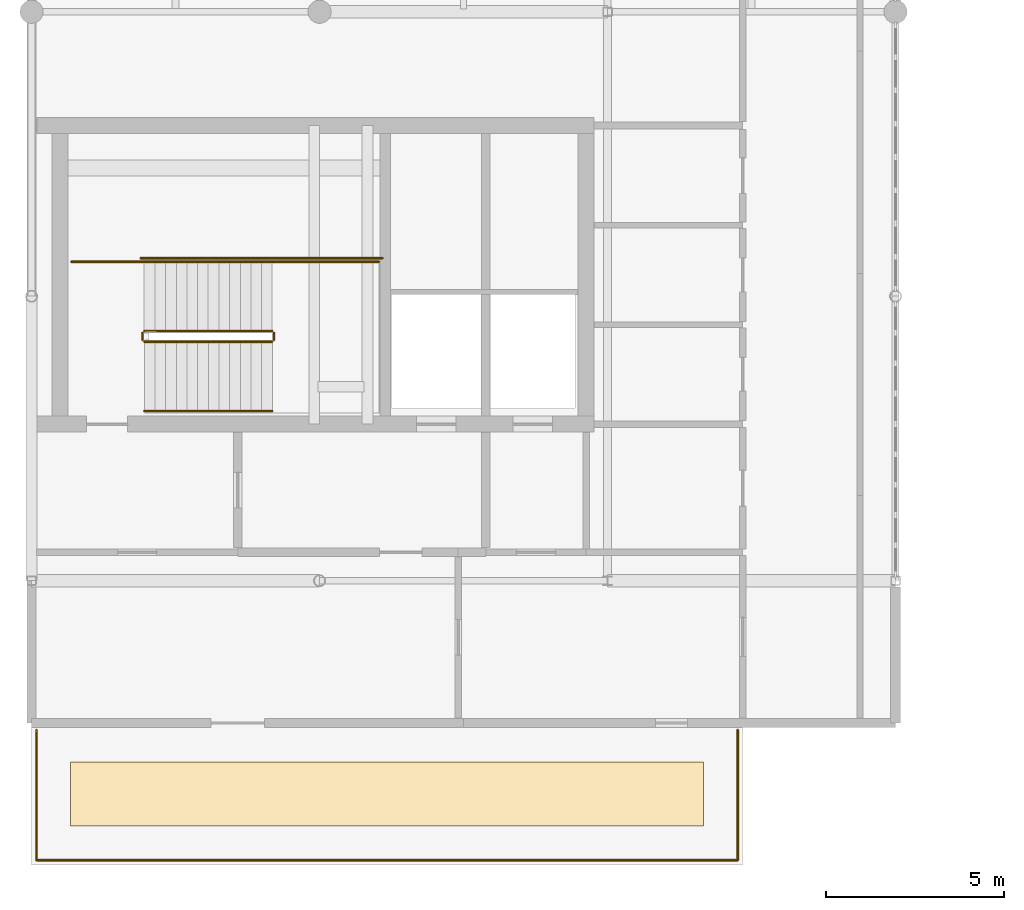
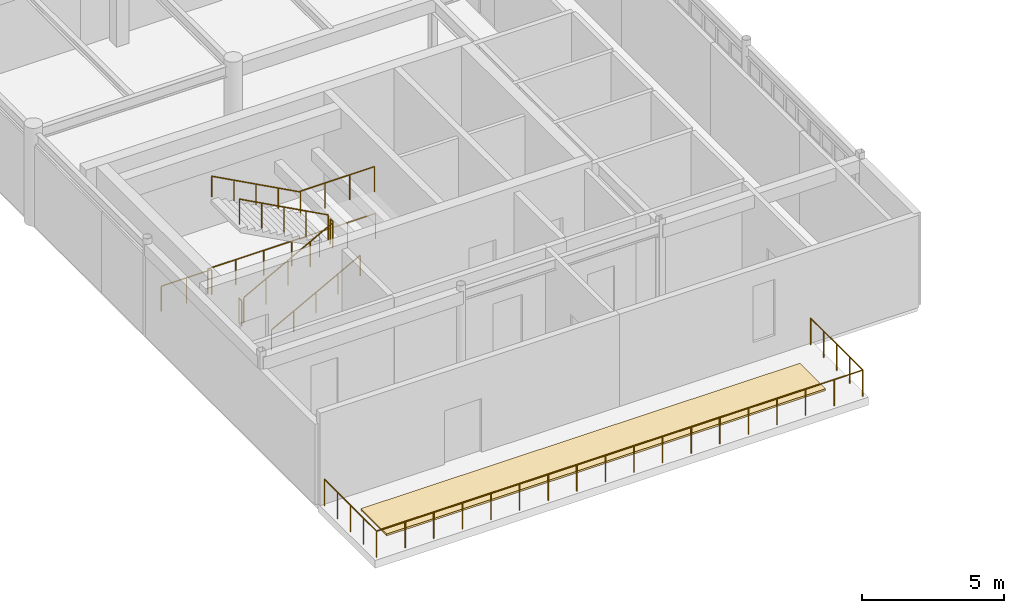
# One storey, part 16 of 18: 12 railings, 1 covering.
"""IFC4 building model written with IfcOpenShell, lengths in metres."""

from ifc_helpers import new_model, si_unit, direction, frame, origin, origin_2d, place, context, subcontext, project, spatial, polyline, circle, outline, extrude, material, layer, layer_set, type_object, element, save


model = new_model("IFC4")

# Units and contexts
model_context = context("Model", 3, precision=1e-05, world=origin(), true_north=direction((0.0, 1.0)))
body_context = subcontext(model_context, "Body", "Model", "MODEL_VIEW")
ifc_project = project(units=[si_unit("LENGTHUNIT", "METRE"), si_unit("AREAUNIT", "SQUARE_METRE"), si_unit("VOLUMEUNIT", "CUBIC_METRE"), si_unit("PLANEANGLEUNIT", "RADIAN"), si_unit("MASSUNIT", "GRAM", prefix="KILO")], contexts=[model_context])

# Site, building, storey
site_placement = place(None, origin())
site = spatial("IfcSite", under=ifc_project, at=site_placement, CompositionType="ELEMENT")
building_placement = place(site_placement, origin())
building = spatial("IfcBuilding", under=site, at=building_placement, Name="Tarnveldt Square Police Headquarters", CompositionType="ELEMENT")
storey_placement = place(building_placement, frame((0.0, 0.0, 29.10009765625)))
storey = spatial("IfcBuildingStorey", under=building, at=storey_placement, Name="L06", CompositionType="ELEMENT", Elevation=29.10009765625)

# Covering
ifc_material_1 = material(Name="Vegetated sedum and EPDM waterproofing roofing assembly", Category="concrete")
ifc_layer = layer(ifc_material_1, 0.080078125)
ifc_layer_set = layer_set([ifc_layer], Name="Vegetated sedum and EPDM waterproofing roofing assembly")
covering_type = type_object("IfcCoveringType", Name="COV-RFG-80", PredefinedType="ROOFING", material=ifc_layer_set)
covering_placement = place(storey_placement, origin())
element("IfcCovering", 1, at=covering_placement, inside=storey, type_object=covering_type, Name="Investigation Mid-Rise Setback Terrace Planted Roofing Assembly 4", PredefinedType="ROOFING", context=body_context, shape_type="SweptSolid", body=[
    extrude(outline(polyline([(35.10009765625, 49.10009765625), (35.10009765625, 50.89990234375), (17.300048828125, 50.89990234375), (17.300048828125, 49.10009765625), (35.10009765625, 49.10009765625)])), origin(), (0.0, 0.0, 1.0), 0.079833984375),
])

# Railings
ifc_material_2 = material(Name="Steel 350W", Category="steel")
railing_type_1 = type_object("IfcRailingType", Name="RL-BAL-1150", PredefinedType="BALUSTRADE", material=ifc_material_2)
railing_1_placement = place(storey_placement, frame((16.340087890625, 48.139892578125, 0.0)))
element("IfcRailing", 2, at=railing_1_placement, inside=storey, type_object=railing_type_1, Name="Investigation Mid-Rise Setback Terrace Perimeter Guardrail S1", PredefinedType="BALUSTRADE", context=body_context, shape_type="SweptSolid", body=[
    extrude(circle(Radius=0.02392578125, at=origin_2d()), frame((0.0, 0.0, 1.1259765625), z_axis=(1.0, 0.0, 0.0), x_axis=(0.0, 1.0, 0.0)), (0.0, 0.0, 1.0), 19.719970703125),
    extrude(circle(Radius=0.02099609375, at=origin_2d()), origin(), (0.0, 0.0, 1.0), 1.101806640625),
    extrude(circle(Radius=0.02099609375, at=origin_2d()), frame((1.159912109375, 0.0, 0.0)), (0.0, 0.0, 1.0), 1.101806640625),
    extrude(circle(Radius=0.02099609375, at=origin_2d()), frame((2.320068359375, 0.0, 0.0)), (0.0, 0.0, 1.0), 1.101806640625),
    extrude(circle(Radius=0.02099609375, at=origin_2d()), frame((3.47998046875, 0.0, 0.0)), (0.0, 0.0, 1.0), 1.101806640625),
    extrude(circle(Radius=0.02099609375, at=origin_2d()), frame((4.639892578125, 0.0, 0.0)), (0.0, 0.0, 1.0), 1.101806640625),
    extrude(circle(Radius=0.02099609375, at=origin_2d()), frame((5.800048828125, 0.0, 0.0)), (0.0, 0.0, 1.0), 1.101806640625),
    extrude(circle(Radius=0.02099609375, at=origin_2d()), frame((6.9599609375, 0.0, 0.0)), (0.0, 0.0, 1.0), 1.101806640625),
    extrude(circle(Radius=0.02099609375, at=origin_2d()), frame((8.119873046875, 0.0, 0.0)), (0.0, 0.0, 1.0), 1.101806640625),
    extrude(circle(Radius=0.02099609375, at=origin_2d()), frame((9.280029296875, 0.0, 0.0)), (0.0, 0.0, 1.0), 1.101806640625),
    extrude(circle(Radius=0.02099609375, at=origin_2d()), frame((10.43994140625, 0.0, 0.0)), (0.0, 0.0, 1.0), 1.101806640625),
    extrude(circle(Radius=0.02099609375, at=origin_2d()), frame((11.60009765625, 0.0, 0.0)), (0.0, 0.0, 1.0), 1.101806640625),
    extrude(circle(Radius=0.02099609375, at=origin_2d()), frame((12.760009765625, 0.0, 0.0)), (0.0, 0.0, 1.0), 1.101806640625),
    extrude(circle(Radius=0.02099609375, at=origin_2d()), frame((13.919921875, 0.0, 0.0)), (0.0, 0.0, 1.0), 1.101806640625),
    extrude(circle(Radius=0.02099609375, at=origin_2d()), frame((15.080078125, 0.0, 0.0)), (0.0, 0.0, 1.0), 1.101806640625),
    extrude(circle(Radius=0.02099609375, at=origin_2d()), frame((16.239990234375, 0.0, 0.0)), (0.0, 0.0, 1.0), 1.101806640625),
    extrude(circle(Radius=0.02099609375, at=origin_2d()), frame((17.39990234375, 0.0, 0.0)), (0.0, 0.0, 1.0), 1.101806640625),
    extrude(circle(Radius=0.02099609375, at=origin_2d()), frame((18.56005859375, 0.0, 0.0)), (0.0, 0.0, 1.0), 1.101806640625),
    extrude(circle(Radius=0.02099609375, at=origin_2d()), frame((19.719970703125, 0.0, 0.0)), (0.0, 0.0, 1.0), 1.101806640625),
])
railing_2_placement = place(storey_placement, frame((36.06005859375, 48.139892578125, 0.0)))
element("IfcRailing", 3, at=railing_2_placement, inside=storey, type_object=railing_type_1, Name="Investigation Mid-Rise Setback Terrace Perimeter Guardrail E1", PredefinedType="BALUSTRADE", context=body_context, shape_type="SweptSolid", body=[
    extrude(circle(Radius=0.02392578125, at=origin_2d()), frame((0.0, 0.0, 1.1259765625), z_axis=(0.0, 1.0, 0.0), x_axis=(-1.0, 0.0, 0.0)), (0.0, 0.0, 1.0), 3.66015625),
    extrude(circle(Radius=0.02099609375, at=origin_2d()), origin(), (0.0, 0.0, 1.0), 1.101806640625),
    extrude(circle(Radius=0.02099609375, at=origin_2d()), frame((0.0, 0.9150390625, 0.0)), (0.0, 0.0, 1.0), 1.101806640625),
    extrude(circle(Radius=0.02099609375, at=origin_2d()), frame((0.0, 1.830078125, 0.0)), (0.0, 0.0, 1.0), 1.101806640625),
    extrude(circle(Radius=0.02099609375, at=origin_2d()), frame((0.0, 2.7451171875, 0.0)), (0.0, 0.0, 1.0), 1.101806640625),
    extrude(circle(Radius=0.02099609375, at=origin_2d()), frame((0.0, 3.66015625, 0.0)), (0.0, 0.0, 1.0), 1.101806640625),
])
railing_3_placement = place(storey_placement, frame((16.340087890625, 51.800048828125, 0.0)))
element("IfcRailing", 4, at=railing_3_placement, inside=storey, type_object=railing_type_1, Name="Investigation Mid-Rise Setback Terrace Perimeter Guardrail W1", PredefinedType="BALUSTRADE", context=body_context, shape_type="SweptSolid", body=[
    extrude(circle(Radius=0.02392578125, at=origin_2d()), frame((0.0, 0.0, 1.1259765625), z_axis=(0.0, -1.0, 0.0), x_axis=(1.0, 0.0, 0.0)), (0.0, 0.0, 1.0), 3.66015625),
    extrude(circle(Radius=0.02099609375, at=origin_2d()), origin(), (0.0, 0.0, 1.0), 1.101806640625),
    extrude(circle(Radius=0.02099609375, at=origin_2d()), frame((0.0, -0.9150390625, 0.0)), (0.0, 0.0, 1.0), 1.101806640625),
    extrude(circle(Radius=0.02099609375, at=origin_2d()), frame((0.0, -1.830078125, 0.0)), (0.0, 0.0, 1.0), 1.101806640625),
    extrude(circle(Radius=0.02099609375, at=origin_2d()), frame((0.0, -2.7451171875, 0.0)), (0.0, 0.0, 1.0), 1.101806640625),
    extrude(circle(Radius=0.02099609375, at=origin_2d()), frame((0.0, -3.66015625, 0.0)), (0.0, 0.0, 1.0), 1.101806640625),
])
railing_type_2 = type_object("IfcRailingType", Name="RL-GR-1100", PredefinedType="GUARDRAIL", material=ifc_material_2)
railing_4_placement = place(storey_placement, frame((19.3701171875, 62.719970703125, 0.161376953125)))
element("IfcRailing", 5, at=railing_4_placement, inside=storey, type_object=railing_type_2, Name="L06 ST1 stair guard 1", PredefinedType="GUARDRAIL", context=body_context, shape_type="SweptSolid", body=[
    extrude(circle(Radius=0.02392578125, at=origin_2d()), frame((0.0, 0.0, 1.076171875), z_axis=(0.880461512865, 0.0, 0.474117627138), x_axis=(0.0, 1.0, 0.0)), (0.0, 0.0, 1.0), 4.088623046875),
    extrude(circle(Radius=0.02099609375, at=origin_2d()), origin(), (0.0, 0.0, 1.0), 1.052001953125),
    extrude(circle(Radius=0.02099609375, at=origin_2d()), frame((0.89990234375, 0.0, 0.484619140625)), (0.0, 0.0, 1.0), 1.052001953125),
    extrude(circle(Radius=0.02099609375, at=origin_2d()), frame((1.7998046875, 0.0, 0.96923828125)), (0.0, 0.0, 1.0), 1.052001953125),
    extrude(circle(Radius=0.02099609375, at=origin_2d()), frame((2.699951171875, 0.0, 1.453857421875)), (0.0, 0.0, 1.0), 1.052001953125),
    extrude(circle(Radius=0.02099609375, at=origin_2d()), frame((3.599853515625, 0.0, 1.9384765625)), (0.0, 0.0, 1.0), 1.052001953125),
])
railing_5_placement = place(storey_placement, frame((23.02001953125, 62.77001953125, 2.099853515625)))
element("IfcRailing", 6, at=railing_5_placement, inside=storey, type_object=railing_type_2, Name="L06 ST1 stair guard 2", PredefinedType="GUARDRAIL", context=body_context, shape_type="SweptSolid", body=[
    extrude(circle(Radius=0.02392578125, at=origin_2d()), frame((0.0, 0.0, 1.076171875), z_axis=(0.0, 1.0, 0.0), x_axis=(-1.0, 0.0, 0.0)), (0.0, 0.0, 1.0), 0.199951171875),
    extrude(circle(Radius=0.02099609375, at=origin_2d()), origin(), (0.0, 0.0, 1.0), 1.052001953125),
    extrude(circle(Radius=0.02099609375, at=origin_2d()), frame((0.0, 0.199951171875, 0.0)), (0.0, 0.0, 1.0), 1.052001953125),
])
railing_6_placement = place(storey_placement, frame((22.969970703125, 64.969970703125, 2.099853515625)))
element("IfcRailing", 7, at=railing_6_placement, inside=storey, type_object=railing_type_2, Name="L06 ST1 stair guard 3", PredefinedType="GUARDRAIL", context=body_context, shape_type="SweptSolid", body=[
    extrude(circle(Radius=0.02392578125, at=origin_2d()), frame((0.0, 0.0, 1.076171875), z_axis=(1.0, 0.0, 0.0), x_axis=(0.0, 1.0, 0.0)), (0.0, 0.0, 1.0), 3.0),
    extrude(circle(Radius=0.02099609375, at=origin_2d()), origin(), (0.0, 0.0, 1.0), 1.052001953125),
    extrude(circle(Radius=0.02099609375, at=origin_2d()), frame((1.0, 0.0, 0.0)), (0.0, 0.0, 1.0), 1.052001953125),
    extrude(circle(Radius=0.02099609375, at=origin_2d()), frame((2.0, 0.0, 0.0)), (0.0, 0.0, 1.0), 1.052001953125),
    extrude(circle(Radius=0.02099609375, at=origin_2d()), frame((3.0, 0.0, 0.0)), (0.0, 0.0, 1.0), 1.052001953125),
])
railing_7_placement = place(storey_placement, frame((22.969970703125, 63.02001953125, 2.261474609375)))
element("IfcRailing", 8, at=railing_7_placement, inside=storey, type_object=railing_type_2, Name="L06 ST1 stair guard 4", PredefinedType="GUARDRAIL", context=body_context, shape_type="SweptSolid", body=[
    extrude(circle(Radius=0.02392578125, at=origin_2d()), frame((0.0, 0.0, 1.076171875), z_axis=(-0.880461512865, 0.0, 0.474117627138), x_axis=(0.0, -1.0, 0.0)), (0.0, 0.0, 1.0), 4.088623046875),
    extrude(circle(Radius=0.02099609375, at=origin_2d()), origin(), (0.0, 0.0, 1.0), 1.052001953125),
    extrude(circle(Radius=0.02099609375, at=origin_2d()), frame((-0.89990234375, 0.0, 0.484619140625)), (0.0, 0.0, 1.0), 1.052001953125),
    extrude(circle(Radius=0.02099609375, at=origin_2d()), frame((-1.7998046875, 0.0, 0.96923828125)), (0.0, 0.0, 1.0), 1.052001953125),
    extrude(circle(Radius=0.02099609375, at=origin_2d()), frame((-2.699951171875, 0.0, 1.453857421875)), (0.0, 0.0, 1.0), 1.052001953125),
    extrude(circle(Radius=0.02099609375, at=origin_2d()), frame((-3.599853515625, 0.0, 1.9384765625)), (0.0, 0.0, 1.0), 1.052001953125),
])
railing_8_placement = place(storey_placement, frame((19.320068359375, 62.77001953125, 0.0)))
element("IfcRailing", 9, at=railing_8_placement, inside=storey, type_object=railing_type_2, Name="L06 ST1 stair guard 5", PredefinedType="GUARDRAIL", context=body_context, shape_type="SweptSolid", body=[
    extrude(circle(Radius=0.02392578125, at=origin_2d()), frame((0.0, 0.0, 1.076171875), z_axis=(0.0, 1.0, 0.0), x_axis=(-1.0, 0.0, 0.0)), (0.0, 0.0, 1.0), 0.199951171875),
    extrude(circle(Radius=0.02099609375, at=origin_2d()), origin(), (0.0, 0.0, 1.0), 1.052001953125),
    extrude(circle(Radius=0.02099609375, at=origin_2d()), frame((0.0, 0.199951171875, 0.0)), (0.0, 0.0, 1.0), 1.052001953125),
])
railing_9_placement = place(storey_placement, frame((17.320068359375, 64.969970703125, 0.0)))
element("IfcRailing", 10, at=railing_9_placement, inside=storey, type_object=railing_type_2, Name="L06 ST1 stair guard 6", PredefinedType="GUARDRAIL", context=body_context, shape_type="SweptSolid", body=[
    extrude(circle(Radius=0.02392578125, at=origin_2d()), frame((0.0, 0.0, 1.076171875), z_axis=(1.0, 0.0, 0.0), x_axis=(0.0, 1.0, 0.0)), (0.0, 0.0, 1.0), 2.050048828125),
    extrude(circle(Radius=0.02099609375, at=origin_2d()), origin(), (0.0, 0.0, 1.0), 1.052001953125),
    extrude(circle(Radius=0.02099609375, at=origin_2d()), frame((1.02490234375, 0.0, 0.0)), (0.0, 0.0, 1.0), 1.052001953125),
    extrude(circle(Radius=0.02099609375, at=origin_2d()), frame((2.050048828125, 0.0, 0.0)), (0.0, 0.0, 1.0), 1.052001953125),
])
railing_10_placement = place(storey_placement, frame((19.27001953125, 65.070068359375, 0.0)))
element("IfcRailing", 11, at=railing_10_placement, inside=storey, type_object=railing_type_2, Name="L06 ST1 stair guard 7", PredefinedType="GUARDRAIL", context=body_context, shape_type="SweptSolid", body=[
    extrude(circle(Radius=0.02392578125, at=origin_2d()), frame((0.0, 0.0, 1.076171875), z_axis=(1.0, 0.0, 0.0), x_axis=(0.0, 1.0, 0.0)), (0.0, 0.0, 1.0), 6.800048828125),
    extrude(circle(Radius=0.02099609375, at=origin_2d()), origin(), (0.0, 0.0, 1.0), 1.052001953125),
    extrude(circle(Radius=0.02099609375, at=origin_2d()), frame((1.13330078125, 0.0, 0.0)), (0.0, 0.0, 1.0), 1.052001953125),
    extrude(circle(Radius=0.02099609375, at=origin_2d()), frame((2.2666015625, 0.0, 0.0)), (0.0, 0.0, 1.0), 1.052001953125),
    extrude(circle(Radius=0.02099609375, at=origin_2d()), frame((3.39990234375, 0.0, 0.0)), (0.0, 0.0, 1.0), 1.052001953125),
    extrude(circle(Radius=0.02099609375, at=origin_2d()), frame((4.533447265625, 0.0, 0.0)), (0.0, 0.0, 1.0), 1.052001953125),
    extrude(circle(Radius=0.02099609375, at=origin_2d()), frame((5.666748046875, 0.0, 0.0)), (0.0, 0.0, 1.0), 1.052001953125),
    extrude(circle(Radius=0.02099609375, at=origin_2d()), frame((6.800048828125, 0.0, 0.0)), (0.0, 0.0, 1.0), 1.052001953125),
])
railing_type_3 = type_object("IfcRailingType", Name="RL-HR-900", PredefinedType="HANDRAIL", material=ifc_material_2)
railing_11_placement = place(storey_placement, frame((19.3701171875, 60.77001953125, 0.161376953125)))
element("IfcRailing", 12, at=railing_11_placement, inside=storey, type_object=railing_type_3, Name="L06 ST1 stair handrail 1", PredefinedType="HANDRAIL", context=body_context, shape_type="SweptSolid", body=[
    extrude(circle(Radius=0.02392578125, at=origin_2d()), frame((0.0, 0.0, 0.8759765625), z_axis=(0.880461512865, 0.0, 0.474117627138), x_axis=(0.0, 1.0, 0.0)), (0.0, 0.0, 1.0), 4.088623046875),
    extrude(circle(Radius=0.02099609375, at=origin_2d()), origin(), (0.0, 0.0, 1.0), 0.851806640625),
    extrude(circle(Radius=0.02099609375, at=origin_2d()), frame((0.89990234375, 0.0, 0.484619140625)), (0.0, 0.0, 1.0), 0.851806640625),
    extrude(circle(Radius=0.02099609375, at=origin_2d()), frame((1.7998046875, 0.0, 0.96923828125)), (0.0, 0.0, 1.0), 0.851806640625),
    extrude(circle(Radius=0.02099609375, at=origin_2d()), frame((2.699951171875, 0.0, 1.453857421875)), (0.0, 0.0, 1.0), 0.851806640625),
    extrude(circle(Radius=0.02099609375, at=origin_2d()), frame((3.599853515625, 0.0, 1.9384765625)), (0.0, 0.0, 1.0), 0.851806640625),
])
railing_12_placement = place(storey_placement, frame((22.969970703125, 64.969970703125, 2.261474609375)))
element("IfcRailing", 13, at=railing_12_placement, inside=storey, type_object=railing_type_3, Name="L06 ST1 stair handrail 2", PredefinedType="HANDRAIL", context=body_context, shape_type="SweptSolid", body=[
    extrude(circle(Radius=0.02392578125, at=origin_2d()), frame((0.0, 0.0, 0.8759765625), z_axis=(-0.880461512865, 0.0, 0.474117627138), x_axis=(0.0, -1.0, 0.0)), (0.0, 0.0, 1.0), 4.088623046875),
    extrude(circle(Radius=0.02099609375, at=origin_2d()), origin(), (0.0, 0.0, 1.0), 0.851806640625),
    extrude(circle(Radius=0.02099609375, at=origin_2d()), frame((-0.89990234375, 0.0, 0.484619140625)), (0.0, 0.0, 1.0), 0.851806640625),
    extrude(circle(Radius=0.02099609375, at=origin_2d()), frame((-1.7998046875, 0.0, 0.96923828125)), (0.0, 0.0, 1.0), 0.851806640625),
    extrude(circle(Radius=0.02099609375, at=origin_2d()), frame((-2.699951171875, 0.0, 1.453857421875)), (0.0, 0.0, 1.0), 0.851806640625),
    extrude(circle(Radius=0.02099609375, at=origin_2d()), frame((-3.599853515625, 0.0, 1.9384765625)), (0.0, 0.0, 1.0), 0.851806640625),
])

save(model, "model.ifc")
